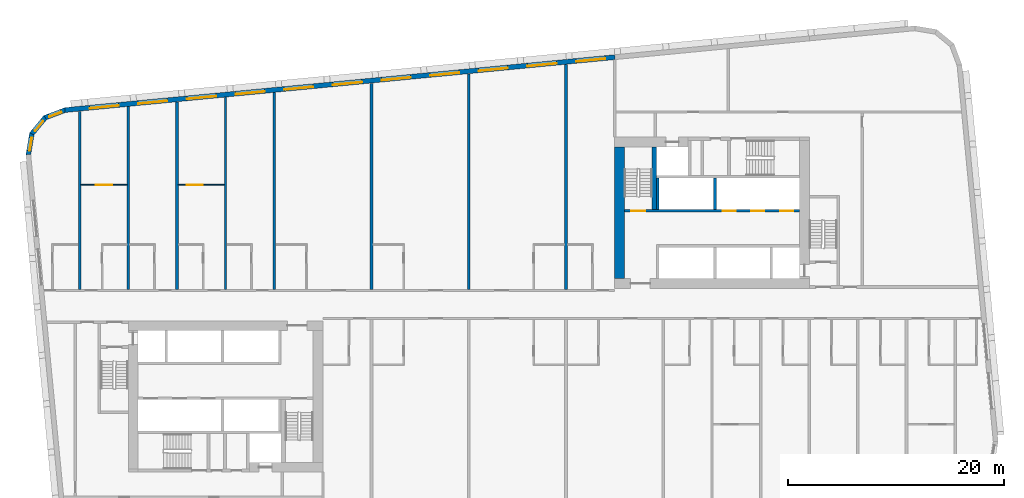
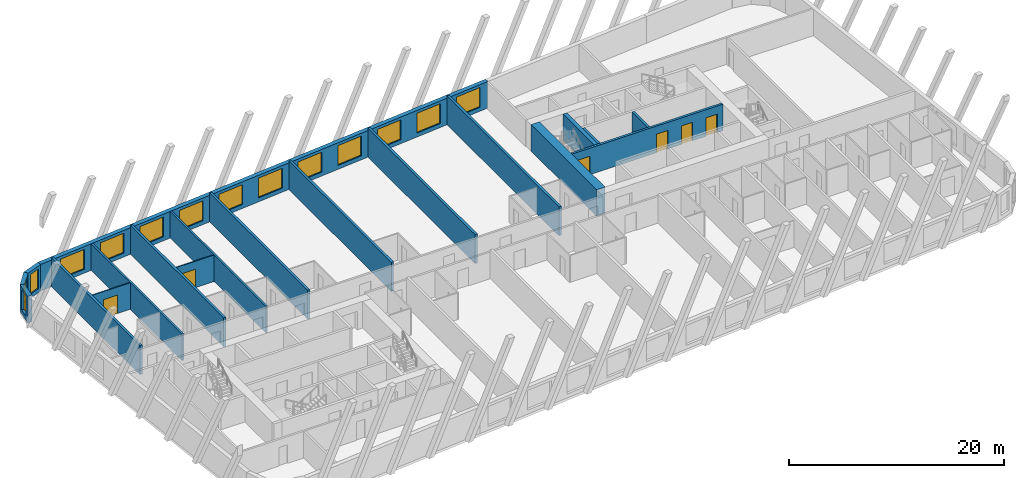
# One storey, part 6 of 13: 19 walls, 14 windows, 6 doors, 20 openings.
"""IFC4 building model written with IfcOpenShell, lengths in metres."""

from ifc_helpers import new_model, si_unit, direction, frame, frame_2d, origin, place, context, subcontext, project, spatial, polyline, rectangle, outline, extrude, material, layer, layer_set, type_object, element, fill, save


model = new_model("IFC4")

# Units and contexts
model_context = context("Model", 3, precision=1e-05, world=origin(), true_north=direction((0.0, 1.0)))
body_context = subcontext(model_context, "Body", "Model", "MODEL_VIEW")
ifc_project = project(units=[si_unit("LENGTHUNIT", "METRE"), si_unit("AREAUNIT", "SQUARE_METRE"), si_unit("VOLUMEUNIT", "CUBIC_METRE"), si_unit("PLANEANGLEUNIT", "RADIAN"), si_unit("MASSUNIT", "GRAM", prefix="KILO")], contexts=[model_context])

# Site, building, storey
site_placement = place(None, origin())
site = spatial("IfcSite", under=ifc_project, at=site_placement, CompositionType="ELEMENT")
building_placement = place(site_placement, origin())
building = spatial("IfcBuilding", under=site, at=building_placement, Name="Kajstack Hotel Tower", CompositionType="ELEMENT")
storey_placement = place(building_placement, frame((0.0, 0.0, 120.699951171875)))
storey = spatial("IfcBuildingStorey", under=building, at=storey_placement, Name="L26", CompositionType="ELEMENT", Elevation=120.699951171875)

# Walls
ifc_material_1 = material(Name="Concrete C60/75", Category="concrete")
ifc_layer_1 = layer(ifc_material_1, 0.89990234375)
ifc_layer_set_1 = layer_set([ifc_layer_1], Name="Core wall 900")
wall_type_1 = type_object("IfcWallType", Name="Core wall 900", PredefinedType="SHEAR", material=ifc_layer_set_1)
wall_1_placement = place(storey_placement, frame((13.949951171875, 2.39990234375, 0.0), z_axis=(0.0, 0.0, 1.0), x_axis=(0.0, 1.0, 0.0)))
element("IfcWall", 1, at=wall_1_placement, inside=storey, type_object=wall_type_1, Name="Core wall E RE", PredefinedType="SHEAR", context=body_context, shape_type="SweptSolid", body=[
    extrude(rectangle(XDim=12.2001953125, YDim=0.89990234375, at=frame_2d((6.10009765625, 0.0))), origin(), (0.0, 0.0, 1.0), 3.02001953125),
])
ifc_material_2 = material(Name="Twin-frame gypsum board on steel studs, mineral wool", Category="steel")
ifc_layer_2 = layer(ifc_material_2, 0.199951171875)
ifc_layer_set_2 = layer_set([ifc_layer_2], Name="Demising wall 200")
wall_type_2 = type_object("IfcWallType", Name="Demising wall 200", PredefinedType="PARTITIONING", material=ifc_layer_set_2)
wall_2_placement = place(storey_placement, frame((-31.5, 1.39990234375, 0.0), z_axis=(0.0, 0.0, 1.0), x_axis=(0.0, 1.0, 0.0)))
element("IfcWall", 2, at=wall_2_placement, inside=storey, type_object=wall_type_2, Name="G-wall-L26-006", PredefinedType="PARTITIONING", context=body_context, shape_type="SweptSolid", body=[
    extrude(rectangle(XDim=16.92919921875, YDim=0.199951171875, at=frame_2d((8.464599609375, 0.0))), origin(), (0.0, 0.0, 1.0), 3.02001953125),
])
wall_3_placement = place(storey_placement, frame((-22.5, 1.39990234375, 0.0), z_axis=(0.0, 0.0, 1.0), x_axis=(0.0, 1.0, 0.0)))
element("IfcWall", 3, at=wall_3_placement, inside=storey, type_object=wall_type_2, Name="G-wall-L26-012", PredefinedType="PARTITIONING", context=body_context, shape_type="SweptSolid", body=[
    extrude(rectangle(XDim=17.796142578125, YDim=0.199951171875, at=frame_2d((8.89794921875, 0.0))), origin(), (0.0, 0.0, 1.0), 3.02001953125),
])

# Wall, openings, windows
ifc_material_3 = material(Name="Terracotta-faced brick masonry", Category="masonry")
ifc_layer_3 = layer(ifc_material_3, 0.449951171875)
ifc_layer_set_3 = layer_set([ifc_layer_3], Name="EW-TERRA")
wall_type_3 = type_object("IfcWallType", Name="EW-TERRA", PredefinedType="SOLIDWALL", material=ifc_layer_set_3)
wall_4_placement = place(storey_placement, frame((13.521484375, 22.89013671875, 0.0), z_axis=(0.0, 0.0, 1.0), x_axis=(-0.995396445054, -0.095843190545, 0.0)))
wall_4 = element("IfcWall", 4, at=wall_4_placement, inside=storey, type_object=wall_type_3, Name="E-wall-L26-12-02", PredefinedType="SOLIDWALL", context=body_context, shape_type="SweptSolid", body=[
    extrude(rectangle(XDim=51.114013671875, YDim=0.449951171875, at=frame_2d((25.55712890625, 0.0))), origin(), (0.0, 0.0, 1.0), 3.02001953125),
])
opening_1_placement = place(wall_4_placement, frame((0.910400390625, 0.0, 0.449951171875)))
opening_1 = element("IfcOpeningElement", 5, at=opening_1_placement, cuts=wall_4, Name="Opening W1", PredefinedType="OPENING", context=body_context, shape_type="SweptSolid", body=[
    extrude(rectangle(XDim=2.699951171875, YDim=2.25, at=frame_2d((1.35009765625, 1.125))), frame((0.0, 0.23486328125, 0.0), z_axis=(0.0, -1.0, 0.0), x_axis=(1.0, 0.0, 0.0)), (0.0, 0.0, 1.0), 0.469970703125),
])
opening_2_placement = place(wall_4_placement, frame((5.43115234375, 0.0, 0.449951171875)))
opening_2 = element("IfcOpeningElement", 6, at=opening_2_placement, cuts=wall_4, Name="Opening W1", PredefinedType="OPENING", context=body_context, shape_type="SweptSolid", body=[
    extrude(rectangle(XDim=2.699951171875, YDim=2.25, at=frame_2d((1.35009765625, 1.125))), frame((0.0, 0.23486328125, 0.0), z_axis=(0.0, -1.0, 0.0), x_axis=(1.0, 0.0, 0.0)), (0.0, 0.0, 1.0), 0.469970703125),
])
opening_3_placement = place(wall_4_placement, frame((9.951904296875, 0.0, 0.449951171875)))
opening_3 = element("IfcOpeningElement", 7, at=opening_3_placement, cuts=wall_4, Name="Opening W1", PredefinedType="OPENING", context=body_context, shape_type="SweptSolid", body=[
    extrude(rectangle(XDim=2.699951171875, YDim=2.25, at=frame_2d((1.35009765625, 1.125))), frame((0.0, 0.23486328125, 0.0), z_axis=(0.0, -1.0, 0.0), x_axis=(1.0, 0.0, 0.0)), (0.0, 0.0, 1.0), 0.469970703125),
])
opening_4_placement = place(wall_4_placement, frame((14.472900390625, 0.0, 0.449951171875)))
opening_4 = element("IfcOpeningElement", 8, at=opening_4_placement, cuts=wall_4, Name="Opening W1", PredefinedType="OPENING", context=body_context, shape_type="SweptSolid", body=[
    extrude(rectangle(XDim=2.699951171875, YDim=2.25, at=frame_2d((1.35009765625, 1.125))), frame((0.0, 0.23486328125, 0.0), z_axis=(0.0, -1.0, 0.0), x_axis=(1.0, 0.0, 0.0)), (0.0, 0.0, 1.0), 0.469970703125),
])
opening_5_placement = place(wall_4_placement, frame((18.99365234375, 0.0, 0.449951171875)))
opening_5 = element("IfcOpeningElement", 9, at=opening_5_placement, cuts=wall_4, Name="Opening W1", PredefinedType="OPENING", context=body_context, shape_type="SweptSolid", body=[
    extrude(rectangle(XDim=2.699951171875, YDim=2.25, at=frame_2d((1.35009765625, 1.125))), frame((0.0, 0.23486328125, 0.0), z_axis=(0.0, -1.0, 0.0), x_axis=(1.0, 0.0, 0.0)), (0.0, 0.0, 1.0), 0.469970703125),
])
opening_6_placement = place(wall_4_placement, frame((23.514404296875, 0.0, 0.449951171875)))
opening_6 = element("IfcOpeningElement", 10, at=opening_6_placement, cuts=wall_4, Name="Opening W1", PredefinedType="OPENING", context=body_context, shape_type="SweptSolid", body=[
    extrude(rectangle(XDim=2.699951171875, YDim=2.25, at=frame_2d((1.35009765625, 1.125))), frame((0.0, 0.23486328125, 0.0), z_axis=(0.0, -1.0, 0.0), x_axis=(1.0, 0.0, 0.0)), (0.0, 0.0, 1.0), 0.469970703125),
])
opening_7_placement = place(wall_4_placement, frame((28.035400390625, 0.0, 0.449951171875)))
opening_7 = element("IfcOpeningElement", 11, at=opening_7_placement, cuts=wall_4, Name="Opening W1", PredefinedType="OPENING", context=body_context, shape_type="SweptSolid", body=[
    extrude(rectangle(XDim=2.699951171875, YDim=2.25, at=frame_2d((1.35009765625, 1.125))), frame((0.0, 0.23486328125, 0.0), z_axis=(0.0, -1.0, 0.0), x_axis=(1.0, 0.0, 0.0)), (0.0, 0.0, 1.0), 0.469970703125),
])
opening_8_placement = place(wall_4_placement, frame((32.55615234375, 0.0, 0.449951171875)))
opening_8 = element("IfcOpeningElement", 12, at=opening_8_placement, cuts=wall_4, Name="Opening W1", PredefinedType="OPENING", context=body_context, shape_type="SweptSolid", body=[
    extrude(rectangle(XDim=2.699951171875, YDim=2.25, at=frame_2d((1.35009765625, 1.125))), frame((0.0, 0.23486328125, 0.0), z_axis=(0.0, -1.0, 0.0), x_axis=(1.0, 0.0, 0.0)), (0.0, 0.0, 1.0), 0.469970703125),
])
opening_9_placement = place(wall_4_placement, frame((37.076904296875, 0.0, 0.449951171875)))
opening_9 = element("IfcOpeningElement", 13, at=opening_9_placement, cuts=wall_4, Name="Opening W1", PredefinedType="OPENING", context=body_context, shape_type="SweptSolid", body=[
    extrude(rectangle(XDim=2.699951171875, YDim=2.25, at=frame_2d((1.35009765625, 1.125))), frame((0.0, 0.23486328125, 0.0), z_axis=(0.0, -1.0, 0.0), x_axis=(1.0, 0.0, 0.0)), (0.0, 0.0, 1.0), 0.469970703125),
])
opening_10_placement = place(wall_4_placement, frame((41.59765625, 0.0, 0.449951171875)))
opening_10 = element("IfcOpeningElement", 14, at=opening_10_placement, cuts=wall_4, Name="Opening W1", PredefinedType="OPENING", context=body_context, shape_type="SweptSolid", body=[
    extrude(rectangle(XDim=2.699951171875, YDim=2.25, at=frame_2d((1.35009765625, 1.125))), frame((0.0, 0.23486328125, 0.0), z_axis=(0.0, -1.0, 0.0), x_axis=(1.0, 0.0, 0.0)), (0.0, 0.0, 1.0), 0.469970703125),
])
opening_11_placement = place(wall_4_placement, frame((46.118408203125, 0.0, 0.449951171875)))
opening_11 = element("IfcOpeningElement", 15, at=opening_11_placement, cuts=wall_4, Name="Opening W1", PredefinedType="OPENING", context=body_context, shape_type="SweptSolid", body=[
    extrude(rectangle(XDim=2.699951171875, YDim=2.25, at=frame_2d((1.35009765625, 1.125))), frame((0.0, 0.23486328125, 0.0), z_axis=(0.0, -1.0, 0.0), x_axis=(1.0, 0.0, 0.0)), (0.0, 0.0, 1.0), 0.469970703125),
])
ifc_material_4 = material(Name="Timber-aluminium window, triple glazed", Category="wood")
window_type_1 = type_object("IfcWindowType", Name="WG1", PartitioningType="SINGLE_PANEL", PredefinedType="WINDOW", material=ifc_material_4)
window_1_placement = place(opening_1_placement, origin())
window_1 = element("IfcWindow", 16, at=window_1_placement, inside=storey, type_object=window_type_1, Name="Window W1 L26-12", OverallHeight=2.25, OverallWidth=2.699951171875, PartitioningType="SINGLE_PANEL", PredefinedType="WINDOW", context=body_context, shape_type="SweptSolid", body=[
    extrude(rectangle(XDim=2.699951171875, YDim=2.25, at=frame_2d((1.35009765625, 1.125))), frame((0.0, 0.090087890625, 0.0), z_axis=(0.0, -1.0, 0.0), x_axis=(1.0, 0.0, 0.0)), (0.0, 0.0, 1.0), 0.06005859375),
])
fill(opening_1, window_1)
window_2_placement = place(opening_2_placement, origin())
window_2 = element("IfcWindow", 17, at=window_2_placement, inside=storey, type_object=window_type_1, Name="Window W1 L26-12", OverallHeight=2.25, OverallWidth=2.699951171875, PartitioningType="SINGLE_PANEL", PredefinedType="WINDOW", context=body_context, shape_type="SweptSolid", body=[
    extrude(rectangle(XDim=2.699951171875, YDim=2.25, at=frame_2d((1.35009765625, 1.125))), frame((0.0, 0.090087890625, 0.0), z_axis=(0.0, -1.0, 0.0), x_axis=(1.0, 0.0, 0.0)), (0.0, 0.0, 1.0), 0.06005859375),
])
fill(opening_2, window_2)
window_3_placement = place(opening_3_placement, origin())
window_3 = element("IfcWindow", 18, at=window_3_placement, inside=storey, type_object=window_type_1, Name="Window W1 L26-12", OverallHeight=2.25, OverallWidth=2.699951171875, PartitioningType="SINGLE_PANEL", PredefinedType="WINDOW", context=body_context, shape_type="SweptSolid", body=[
    extrude(rectangle(XDim=2.699951171875, YDim=2.25, at=frame_2d((1.35009765625, 1.125))), frame((0.0, 0.090087890625, 0.0), z_axis=(0.0, -1.0, 0.0), x_axis=(1.0, 0.0, 0.0)), (0.0, 0.0, 1.0), 0.06005859375),
])
fill(opening_3, window_3)
window_4_placement = place(opening_4_placement, origin())
window_4 = element("IfcWindow", 19, at=window_4_placement, inside=storey, type_object=window_type_1, Name="Window W1 L26-12", OverallHeight=2.25, OverallWidth=2.699951171875, PartitioningType="SINGLE_PANEL", PredefinedType="WINDOW", context=body_context, shape_type="SweptSolid", body=[
    extrude(rectangle(XDim=2.699951171875, YDim=2.25, at=frame_2d((1.35009765625, 1.125))), frame((0.0, 0.090087890625, 0.0), z_axis=(0.0, -1.0, 0.0), x_axis=(1.0, 0.0, 0.0)), (0.0, 0.0, 1.0), 0.06005859375),
])
fill(opening_4, window_4)
window_5_placement = place(opening_5_placement, origin())
window_5 = element("IfcWindow", 20, at=window_5_placement, inside=storey, type_object=window_type_1, Name="Window W1 L26-12", OverallHeight=2.25, OverallWidth=2.699951171875, PartitioningType="SINGLE_PANEL", PredefinedType="WINDOW", context=body_context, shape_type="SweptSolid", body=[
    extrude(rectangle(XDim=2.699951171875, YDim=2.25, at=frame_2d((1.35009765625, 1.125))), frame((0.0, 0.090087890625, 0.0), z_axis=(0.0, -1.0, 0.0), x_axis=(1.0, 0.0, 0.0)), (0.0, 0.0, 1.0), 0.06005859375),
])
fill(opening_5, window_5)
window_6_placement = place(opening_6_placement, origin())
window_6 = element("IfcWindow", 21, at=window_6_placement, inside=storey, type_object=window_type_1, Name="Window W1 L26-12", OverallHeight=2.25, OverallWidth=2.699951171875, PartitioningType="SINGLE_PANEL", PredefinedType="WINDOW", context=body_context, shape_type="SweptSolid", body=[
    extrude(rectangle(XDim=2.699951171875, YDim=2.25, at=frame_2d((1.35009765625, 1.125))), frame((0.0, 0.090087890625, 0.0), z_axis=(0.0, -1.0, 0.0), x_axis=(1.0, 0.0, 0.0)), (0.0, 0.0, 1.0), 0.06005859375),
])
fill(opening_6, window_6)
window_7_placement = place(opening_7_placement, origin())
window_7 = element("IfcWindow", 22, at=window_7_placement, inside=storey, type_object=window_type_1, Name="Window W1 L26-12", OverallHeight=2.25, OverallWidth=2.699951171875, PartitioningType="SINGLE_PANEL", PredefinedType="WINDOW", context=body_context, shape_type="SweptSolid", body=[
    extrude(rectangle(XDim=2.699951171875, YDim=2.25, at=frame_2d((1.35009765625, 1.125))), frame((0.0, 0.090087890625, 0.0), z_axis=(0.0, -1.0, 0.0), x_axis=(1.0, 0.0, 0.0)), (0.0, 0.0, 1.0), 0.06005859375),
])
fill(opening_7, window_7)
window_8_placement = place(opening_8_placement, origin())
window_8 = element("IfcWindow", 23, at=window_8_placement, inside=storey, type_object=window_type_1, Name="Window W1 L26-12", OverallHeight=2.25, OverallWidth=2.699951171875, PartitioningType="SINGLE_PANEL", PredefinedType="WINDOW", context=body_context, shape_type="SweptSolid", body=[
    extrude(rectangle(XDim=2.699951171875, YDim=2.25, at=frame_2d((1.35009765625, 1.125))), frame((0.0, 0.090087890625, 0.0), z_axis=(0.0, -1.0, 0.0), x_axis=(1.0, 0.0, 0.0)), (0.0, 0.0, 1.0), 0.06005859375),
])
fill(opening_8, window_8)
window_9_placement = place(opening_9_placement, origin())
window_9 = element("IfcWindow", 24, at=window_9_placement, inside=storey, type_object=window_type_1, Name="Window W1 L26-12", OverallHeight=2.25, OverallWidth=2.699951171875, PartitioningType="SINGLE_PANEL", PredefinedType="WINDOW", context=body_context, shape_type="SweptSolid", body=[
    extrude(rectangle(XDim=2.699951171875, YDim=2.25, at=frame_2d((1.35009765625, 1.125))), frame((0.0, 0.090087890625, 0.0), z_axis=(0.0, -1.0, 0.0), x_axis=(1.0, 0.0, 0.0)), (0.0, 0.0, 1.0), 0.06005859375),
])
fill(opening_9, window_9)
window_10_placement = place(opening_10_placement, origin())
window_10 = element("IfcWindow", 25, at=window_10_placement, inside=storey, type_object=window_type_1, Name="Window W1 L26-12", OverallHeight=2.25, OverallWidth=2.699951171875, PartitioningType="SINGLE_PANEL", PredefinedType="WINDOW", context=body_context, shape_type="SweptSolid", body=[
    extrude(rectangle(XDim=2.699951171875, YDim=2.25, at=frame_2d((1.35009765625, 1.125))), frame((0.0, 0.090087890625, 0.0), z_axis=(0.0, -1.0, 0.0), x_axis=(1.0, 0.0, 0.0)), (0.0, 0.0, 1.0), 0.06005859375),
])
fill(opening_10, window_10)
window_11_placement = place(opening_11_placement, origin())
window_11 = element("IfcWindow", 26, at=window_11_placement, inside=storey, type_object=window_type_1, Name="Window W1 L26-12", OverallHeight=2.25, OverallWidth=2.699951171875, PartitioningType="SINGLE_PANEL", PredefinedType="WINDOW", context=body_context, shape_type="SweptSolid", body=[
    extrude(rectangle(XDim=2.699951171875, YDim=2.25, at=frame_2d((1.35009765625, 1.125))), frame((0.0, 0.090087890625, 0.0), z_axis=(0.0, -1.0, 0.0), x_axis=(1.0, 0.0, 0.0)), (0.0, 0.0, 1.0), 0.06005859375),
])
fill(opening_11, window_11)

# Wall, opening, window
wall_5_placement = place(storey_placement, frame((-37.300048828125, 18.00439453125, 0.0), z_axis=(0.0, 0.0, 1.0), x_axis=(-0.936677599948, -0.350192909346, 0.0)))
wall_5 = element("IfcWall", 27, at=wall_5_placement, inside=storey, type_object=wall_type_3, Name="E-wall-L26-13-00", PredefinedType="SOLIDWALL", context=body_context, shape_type="SweptSolid", body=[
    extrude(outline(polyline([(0.0, -0.224853515625), (2.070556640625, -0.224853515625), (1.949951171875, 0.22509765625), (0.12060546875, 0.22509765625), (0.0, -0.224853515625)])), origin(), (0.0, 0.0, 1.0), 3.02001953125),
])
opening_12_placement = place(wall_5_placement, frame((0.435302734375, 0.0, 0.449951171875)))
opening_12 = element("IfcOpeningElement", 28, at=opening_12_placement, cuts=wall_5, Name="Opening W3", PredefinedType="OPENING", context=body_context, shape_type="SweptSolid", body=[
    extrude(rectangle(XDim=1.199951171875, YDim=2.25, at=frame_2d((0.60009765625, 1.125))), frame((0.0, 0.23486328125, 0.0), z_axis=(0.0, -1.0, 0.0), x_axis=(1.0, 0.0, 0.0)), (0.0, 0.0, 1.0), 0.469970703125),
])
window_type_2 = type_object("IfcWindowType", Name="WG3", PartitioningType="SINGLE_PANEL", PredefinedType="WINDOW", material=ifc_material_4)
window_12_placement = place(opening_12_placement, origin())
window_12 = element("IfcWindow", 29, at=window_12_placement, inside=storey, type_object=window_type_2, Name="Window W3 L26-13", OverallHeight=2.25, OverallWidth=1.199951171875, PartitioningType="SINGLE_PANEL", PredefinedType="WINDOW", context=body_context, shape_type="SweptSolid", body=[
    extrude(rectangle(XDim=1.199951171875, YDim=2.25, at=frame_2d((0.60009765625, 1.125))), frame((0.0, 0.090087890625, 0.0), z_axis=(0.0, -1.0, 0.0), x_axis=(1.0, 0.0, 0.0)), (0.0, 0.0, 1.0), 0.06005859375),
])
fill(opening_12, window_12)

wall_6_placement = place(storey_placement, frame((-39.144775390625, 17.346923828125, 0.0), z_axis=(0.0, 0.0, 1.0), x_axis=(-0.636046112757, -0.771651049663, 0.0)))
wall_6 = element("IfcWall", 30, at=wall_6_placement, inside=storey, type_object=wall_type_3, Name="E-wall-L26-14-00", PredefinedType="SOLIDWALL", context=body_context, shape_type="SweptSolid", body=[
    extrude(outline(polyline([(0.0, -0.224853515625), (2.070556640625, -0.224853515625), (1.949951171875, 0.22509765625), (0.12060546875, 0.22509765625), (0.0, -0.224853515625)])), origin(), (0.0, 0.0, 1.0), 3.02001953125),
])
opening_13_placement = place(wall_6_placement, frame((0.435302734375, 0.0, 0.449951171875)))
opening_13 = element("IfcOpeningElement", 31, at=opening_13_placement, cuts=wall_6, Name="Opening W3", PredefinedType="OPENING", context=body_context, shape_type="SweptSolid", body=[
    extrude(rectangle(XDim=1.199951171875, YDim=2.25, at=frame_2d((0.60009765625, 1.125))), frame((0.0, 0.23486328125, 0.0), z_axis=(0.0, -1.0, 0.0), x_axis=(1.0, 0.0, 0.0)), (0.0, 0.0, 1.0), 0.469970703125),
])
window_13_placement = place(opening_13_placement, origin())
window_13 = element("IfcWindow", 32, at=window_13_placement, inside=storey, type_object=window_type_2, Name="Window W3 L26-14", OverallHeight=2.25, OverallWidth=1.199951171875, PartitioningType="SINGLE_PANEL", PredefinedType="WINDOW", context=body_context, shape_type="SweptSolid", body=[
    extrude(rectangle(XDim=1.199951171875, YDim=2.25, at=frame_2d((0.60009765625, 1.125))), frame((0.0, 0.090087890625, 0.0), z_axis=(0.0, -1.0, 0.0), x_axis=(1.0, 0.0, 0.0)), (0.0, 0.0, 1.0), 0.06005859375),
])
fill(opening_13, window_13)

wall_7_placement = place(storey_placement, frame((-40.413330078125, 15.855224609375, 0.0), z_axis=(0.0, 0.0, 1.0), x_axis=(-0.165068144653, -0.986282164302, 0.0)))
wall_7 = element("IfcWall", 33, at=wall_7_placement, inside=storey, type_object=wall_type_3, Name="E-wall-L26-15-00", PredefinedType="SOLIDWALL", context=body_context, shape_type="SweptSolid", body=[
    extrude(outline(polyline([(0.0, -0.22509765625), (2.070556640625, -0.224853515625), (1.9501953125, 0.22509765625), (0.12060546875, 0.224853515625), (0.0, -0.22509765625)])), origin(), (0.0, 0.0, 1.0), 3.02001953125),
])
opening_14_placement = place(wall_7_placement, frame((0.435302734375, 0.0, 0.449951171875)))
opening_14 = element("IfcOpeningElement", 34, at=opening_14_placement, cuts=wall_7, Name="Opening W3", PredefinedType="OPENING", context=body_context, shape_type="SweptSolid", body=[
    extrude(rectangle(XDim=1.199951171875, YDim=2.25, at=frame_2d((0.60009765625, 1.125))), frame((0.0, 0.23486328125, 0.0), z_axis=(0.0, -1.0, 0.0), x_axis=(1.0, 0.0, 0.0)), (0.0, 0.0, 1.0), 0.469970703125),
])
window_14_placement = place(opening_14_placement, origin())
window_14 = element("IfcWindow", 35, at=window_14_placement, inside=storey, type_object=window_type_2, Name="Window W3 L26-15", OverallHeight=2.25, OverallWidth=1.199951171875, PartitioningType="SINGLE_PANEL", PredefinedType="WINDOW", context=body_context, shape_type="SweptSolid", body=[
    extrude(rectangle(XDim=1.199951171875, YDim=2.25, at=frame_2d((0.60009765625, 1.125))), frame((0.0, 0.090087890625, 0.0), z_axis=(0.0, -1.0, 0.0), x_axis=(1.0, 0.0, 0.0)), (0.0, 0.0, 1.0), 0.06005859375),
])
fill(opening_14, window_14)

# Wall
ifc_material_5 = material(Name="Concrete C50/60", Category="concrete")
ifc_layer_4 = layer(ifc_material_5, 0.300048828125)
ifc_layer_set_4 = layer_set([ifc_layer_4], Name="Hoistway divider wall 300")
wall_type_4 = type_object("IfcWallType", Name="Hoistway divider wall 300", PredefinedType="SHEAR", material=ifc_layer_set_4)
wall_8_placement = place(storey_placement, frame((22.77490234375, 8.800048828125, 0.0), z_axis=(0.0, 0.0, 1.0), x_axis=(0.0, 1.0, 0.0)))
element("IfcWall", 36, at=wall_8_placement, inside=storey, type_object=wall_type_4, Name="Core wall E BP2", PredefinedType="SHEAR", context=body_context, shape_type="SweptSolid", body=[
    extrude(rectangle(XDim=2.89990234375, YDim=0.25, at=frame_2d((1.449951171875, 0.0))), origin(), (0.0, 0.0, 1.0), 3.02001953125),
])

# Wall, opening, door
ifc_material_6 = material(Name="Gypsum board on steel studs", Category="steel")
ifc_layer_5 = layer(ifc_material_6, 0.10009765625)
ifc_layer_set_5 = layer_set([ifc_layer_5], Name="Partition 100")
wall_type_5 = type_object("IfcWallType", Name="Partition 100", PredefinedType="PARTITIONING", material=ifc_layer_set_5)
wall_9_placement = place(storey_placement, frame((-35.875, 11.074951171875, 0.0), z_axis=(0.0, 0.0, 1.0), x_axis=(1.0, 0.0, 0.0)))
wall_9 = element("IfcWall", 37, at=wall_9_placement, inside=storey, type_object=wall_type_5, Name="G-wall-L26-009", PredefinedType="PARTITIONING", context=body_context, shape_type="SweptSolid", body=[
    extrude(rectangle(XDim=4.27490234375, YDim=0.10009765625, at=frame_2d((2.137451171875, 0.0))), origin(), (0.0, 0.0, 1.0), 3.02001953125),
])
opening_15_placement = place(wall_9_placement, frame((1.387939453125, 0.0, 0.0)))
opening_15 = element("IfcOpeningElement", 38, at=opening_15_placement, cuts=wall_9, Name="Opening 26005", PredefinedType="OPENING", context=body_context, shape_type="SweptSolid", body=[
    extrude(rectangle(XDim=1.5, YDim=2.10009765625, at=frame_2d((0.75, 1.050048828125))), frame((0.0, 0.06005859375, 0.0), z_axis=(0.0, -1.0, 0.0), x_axis=(1.0, 0.0, 0.0)), (0.0, 0.0, 1.0), 0.1201171875),
])
ifc_material_7 = material(Name="Painted timber door leaves, glazed panels", Category="wood")
door_type_1 = type_object("IfcDoorType", Name="Double door 1500", OperationType="SINGLE_SWING_LEFT", PredefinedType="DOOR", material=ifc_material_7)
door_1_placement = place(opening_15_placement, origin())
door_1 = element("IfcDoor", 39, at=door_1_placement, inside=storey, type_object=door_type_1, Name="G-door-L26-05", OperationType="SINGLE_SWING_LEFT", OverallHeight=2.10009765625, OverallWidth=1.5, PredefinedType="DOOR", context=body_context, shape_type="SweptSolid", body=[
    extrude(rectangle(XDim=1.5, YDim=2.10009765625, at=frame_2d((0.75, 1.050048828125))), frame((0.0, 0.02490234375, 0.0), z_axis=(0.0, -1.0, 0.0), x_axis=(1.0, 0.0, 0.0)), (0.0, 0.0, 1.0), 0.050048828125),
])
fill(opening_15, door_1)

wall_10_placement = place(storey_placement, frame((-26.875, 11.074951171875, 0.0), z_axis=(0.0, 0.0, 1.0), x_axis=(1.0, 0.0, 0.0)))
wall_10 = element("IfcWall", 40, at=wall_10_placement, inside=storey, type_object=wall_type_5, Name="G-wall-L26-015", PredefinedType="PARTITIONING", context=body_context, shape_type="SweptSolid", body=[
    extrude(rectangle(XDim=4.27490234375, YDim=0.10009765625, at=frame_2d((2.137451171875, 0.0))), origin(), (0.0, 0.0, 1.0), 3.02001953125),
])
opening_16_placement = place(wall_10_placement, frame((0.787109375, 0.0, 0.0)))
opening_16 = element("IfcOpeningElement", 41, at=opening_16_placement, cuts=wall_10, Name="Opening 26010", PredefinedType="OPENING", context=body_context, shape_type="SweptSolid", body=[
    extrude(rectangle(XDim=1.5, YDim=2.10009765625, at=frame_2d((0.75, 1.050048828125))), frame((0.0, 0.06005859375, 0.0), z_axis=(0.0, -1.0, 0.0), x_axis=(1.0, 0.0, 0.0)), (0.0, 0.0, 1.0), 0.1201171875),
])
door_2_placement = place(opening_16_placement, origin())
door_2 = element("IfcDoor", 42, at=door_2_placement, inside=storey, type_object=door_type_1, Name="G-door-L26-10", OperationType="SINGLE_SWING_LEFT", OverallHeight=2.10009765625, OverallWidth=1.5, PredefinedType="DOOR", context=body_context, shape_type="SweptSolid", body=[
    extrude(rectangle(XDim=1.5, YDim=2.10009765625, at=frame_2d((0.75, 1.050048828125))), frame((0.0, 0.02490234375, 0.0), z_axis=(0.0, -1.0, 0.0), x_axis=(1.0, 0.0, 0.0)), (0.0, 0.0, 1.0), 0.050048828125),
])
fill(opening_16, door_2)

# Walls
ifc_material_8 = material(Name="Concrete C55/67", Category="concrete")
ifc_layer_6 = layer(ifc_material_8, 0.25)
ifc_layer_set_6 = layer_set([ifc_layer_6], Name="RC cross wall 250 C55/67")
wall_type_6 = type_object("IfcWallType", Name="RC cross wall 250 C55/67", PredefinedType="SHEAR", material=ifc_layer_set_6)
wall_11_placement = place(storey_placement, frame((-36.0, 1.39990234375, 0.0), z_axis=(0.0, 0.0, 1.0), x_axis=(0.0, 1.0, 0.0)))
element("IfcWall", 43, at=wall_11_placement, inside=storey, type_object=wall_type_6, Name="S-wall-L26-01", PredefinedType="SHEAR", context=body_context, shape_type="SweptSolid", body=[
    extrude(rectangle(XDim=16.473876953125, YDim=0.25, at=frame_2d((8.23681640625, 0.0))), origin(), (0.0, 0.0, 1.0), 3.300048828125),
])
wall_12_placement = place(storey_placement, frame((-27.0, 1.39990234375, 0.0), z_axis=(0.0, 0.0, 1.0), x_axis=(0.0, 1.0, 0.0)))
element("IfcWall", 44, at=wall_12_placement, inside=storey, type_object=wall_type_6, Name="S-wall-L26-02", PredefinedType="SHEAR", context=body_context, shape_type="SweptSolid", body=[
    extrude(rectangle(XDim=17.34033203125, YDim=0.25, at=frame_2d((8.670166015625, 0.0))), origin(), (0.0, 0.0, 1.0), 3.300048828125),
])
wall_13_placement = place(storey_placement, frame((-18.0, 1.39990234375, 0.0), z_axis=(0.0, 0.0, 1.0), x_axis=(0.0, 1.0, 0.0)))
element("IfcWall", 45, at=wall_13_placement, inside=storey, type_object=wall_type_6, Name="S-wall-L26-03", PredefinedType="SHEAR", context=body_context, shape_type="SweptSolid", body=[
    extrude(rectangle(XDim=18.20703125, YDim=0.25, at=frame_2d((9.103515625, 0.0))), origin(), (0.0, 0.0, 1.0), 3.300048828125),
])
wall_14_placement = place(storey_placement, frame((-9.0, 1.39990234375, 0.0), z_axis=(0.0, 0.0, 1.0), x_axis=(0.0, 1.0, 0.0)))
element("IfcWall", 46, at=wall_14_placement, inside=storey, type_object=wall_type_6, Name="S-wall-L26-05", PredefinedType="SHEAR", context=body_context, shape_type="SweptSolid", body=[
    extrude(rectangle(XDim=19.073486328125, YDim=0.25, at=frame_2d((9.53662109375, 0.0))), origin(), (0.0, 0.0, 1.0), 3.300048828125),
])
wall_15_placement = place(storey_placement, frame((0.0, 1.39990234375, 0.0), z_axis=(0.0, 0.0, 1.0), x_axis=(0.0, 1.0, 0.0)))
element("IfcWall", 47, at=wall_15_placement, inside=storey, type_object=wall_type_6, Name="S-wall-L26-07", PredefinedType="SHEAR", context=body_context, shape_type="SweptSolid", body=[
    extrude(rectangle(XDim=19.940185546875, YDim=0.25, at=frame_2d((9.97021484375, 0.0))), origin(), (0.0, 0.0, 1.0), 3.300048828125),
])
wall_16_placement = place(storey_placement, frame((9.0, 1.39990234375, 0.0), z_axis=(0.0, 0.0, 1.0), x_axis=(0.0, 1.0, 0.0)))
element("IfcWall", 48, at=wall_16_placement, inside=storey, type_object=wall_type_6, Name="S-wall-L26-09", PredefinedType="SHEAR", context=body_context, shape_type="SweptSolid", body=[
    extrude(rectangle(XDim=20.806884765625, YDim=0.25, at=frame_2d((10.4033203125, 0.0))), origin(), (0.0, 0.0, 1.0), 3.300048828125),
])

# Wall, openings, doors
ifc_layer_7 = layer(ifc_material_5, 0.25)
ifc_layer_set_7 = layer_set([ifc_layer_7], Name="Shaft wall 250")
wall_type_7 = type_object("IfcWallType", Name="Shaft wall 250", PredefinedType="SHEAR", material=ifc_layer_set_7)
wall_17_placement = place(storey_placement, frame((14.39990234375, 8.675048828125, 0.0), z_axis=(0.0, 0.0, 1.0), x_axis=(1.0, 0.0, 0.0)))
wall_17 = element("IfcWall", 49, at=wall_17_placement, inside=storey, type_object=wall_type_7, Name="Core wall E FB", PredefinedType="SHEAR", context=body_context, shape_type="SweptSolid", body=[
    extrude(rectangle(XDim=16.2001953125, YDim=0.25, at=frame_2d((8.10009765625, 0.0))), origin(), (0.0, 0.0, 1.0), 3.02001953125),
])
opening_17_placement = place(wall_17_placement, frame((14.39990234375, 0.0, 0.0)))
opening_17 = element("IfcOpeningElement", 50, at=opening_17_placement, cuts=wall_17, Name="Opening LD-LR4", PredefinedType="OPENING", context=body_context, shape_type="SweptSolid", body=[
    extrude(rectangle(XDim=1.199951171875, YDim=2.10009765625, at=frame_2d((0.60009765625, 1.050048828125))), frame((0.0, 0.135009765625, 0.0), z_axis=(0.0, -1.0, 0.0), x_axis=(1.0, 0.0, 0.0)), (0.0, 0.0, 1.0), 0.27001953125),
])
opening_18_placement = place(wall_17_placement, frame((11.75, 0.0, 0.0)))
opening_18 = element("IfcOpeningElement", 51, at=opening_18_placement, cuts=wall_17, Name="Opening LD-LR5", PredefinedType="OPENING", context=body_context, shape_type="SweptSolid", body=[
    extrude(rectangle(XDim=1.199951171875, YDim=2.10009765625, at=frame_2d((0.60009765625, 1.050048828125))), frame((0.0, 0.135009765625, 0.0), z_axis=(0.0, -1.0, 0.0), x_axis=(1.0, 0.0, 0.0)), (0.0, 0.0, 1.0), 0.27001953125),
])
opening_19_placement = place(wall_17_placement, frame((9.10009765625, 0.0, 0.0)))
opening_19 = element("IfcOpeningElement", 52, at=opening_19_placement, cuts=wall_17, Name="Opening LD-LR6", PredefinedType="OPENING", context=body_context, shape_type="SweptSolid", body=[
    extrude(rectangle(XDim=1.199951171875, YDim=2.10009765625, at=frame_2d((0.60009765625, 1.050048828125))), frame((0.0, 0.135009765625, 0.0), z_axis=(0.0, -1.0, 0.0), x_axis=(1.0, 0.0, 0.0)), (0.0, 0.0, 1.0), 0.27001953125),
])
opening_20_placement = place(wall_17_placement, frame((0.64990234375, 0.0, 0.0)))
opening_20 = element("IfcOpeningElement", 53, at=opening_20_placement, cuts=wall_17, Name="Opening 26E10", PredefinedType="OPENING", context=body_context, shape_type="SweptSolid", body=[
    extrude(rectangle(XDim=1.300048828125, YDim=2.10009765625, at=frame_2d((0.64990234375, 1.050048828125))), frame((0.0, 0.135009765625, 0.0), z_axis=(0.0, -1.0, 0.0), x_axis=(1.0, 0.0, 0.0)), (0.0, 0.0, 1.0), 0.27001953125),
])
ifc_material_9 = material(Name="Stainless steel", Category="steel")
door_type_2 = type_object("IfcDoorType", Name="Lift landing door 1200", OperationType="SLIDING_TO_LEFT", PredefinedType="DOOR", material=ifc_material_9)
door_3_placement = place(opening_17_placement, origin())
door_3 = element("IfcDoor", 54, at=door_3_placement, inside=storey, type_object=door_type_2, Name="Landing door LR4", OperationType="SLIDING_TO_LEFT", OverallHeight=2.10009765625, OverallWidth=1.199951171875, PredefinedType="DOOR", context=body_context, shape_type="SweptSolid", body=[
    extrude(rectangle(XDim=1.199951171875, YDim=2.10009765625, at=frame_2d((0.60009765625, 1.050048828125))), frame((0.0, 0.02490234375, 0.0), z_axis=(0.0, -1.0, 0.0), x_axis=(1.0, 0.0, 0.0)), (0.0, 0.0, 1.0), 0.050048828125),
])
fill(opening_17, door_3)
door_4_placement = place(opening_18_placement, origin())
door_4 = element("IfcDoor", 55, at=door_4_placement, inside=storey, type_object=door_type_2, Name="Landing door LR5", OperationType="SLIDING_TO_RIGHT", OverallHeight=2.10009765625, OverallWidth=1.199951171875, PredefinedType="DOOR", context=body_context, shape_type="SweptSolid", body=[
    extrude(rectangle(XDim=1.199951171875, YDim=2.10009765625, at=frame_2d((0.60009765625, 1.050048828125))), frame((0.0, 0.02490234375, 0.0), z_axis=(0.0, -1.0, 0.0), x_axis=(1.0, 0.0, 0.0)), (0.0, 0.0, 1.0), 0.050048828125),
])
fill(opening_18, door_4)
door_5_placement = place(opening_19_placement, origin())
door_5 = element("IfcDoor", 56, at=door_5_placement, inside=storey, type_object=door_type_2, Name="Landing door LR6", OperationType="SLIDING_TO_RIGHT", OverallHeight=2.10009765625, OverallWidth=1.199951171875, PredefinedType="DOOR", context=body_context, shape_type="SweptSolid", body=[
    extrude(rectangle(XDim=1.199951171875, YDim=2.10009765625, at=frame_2d((0.60009765625, 1.050048828125))), frame((0.0, 0.02490234375, 0.0), z_axis=(0.0, -1.0, 0.0), x_axis=(1.0, 0.0, 0.0)), (0.0, 0.0, 1.0), 0.050048828125),
])
fill(opening_19, door_5)
ifc_material_10 = material(Name="Steel leaf, fire-rated", Category="steel")
door_type_3 = type_object("IfcDoorType", Name="Stair door 1300", OperationType="SINGLE_SWING_LEFT", PredefinedType="DOOR", material=ifc_material_10)
door_6_placement = place(opening_20_placement, origin())
door_6 = element("IfcDoor", 57, at=door_6_placement, inside=storey, type_object=door_type_3, Name="Door 26E10", OperationType="SINGLE_SWING_LEFT", OverallHeight=2.10009765625, OverallWidth=1.300048828125, PredefinedType="DOOR", context=body_context, shape_type="SweptSolid", body=[
    extrude(rectangle(XDim=1.300048828125, YDim=2.10009765625, at=frame_2d((0.64990234375, 1.050048828125))), frame((0.0, 0.02490234375, 0.0), z_axis=(0.0, -1.0, 0.0), x_axis=(1.0, 0.0, 0.0)), (0.0, 0.0, 1.0), 0.050048828125),
])
fill(opening_20, door_6)

# Walls
wall_18_placement = place(storey_placement, frame((17.47509765625, 8.800048828125, 0.0), z_axis=(0.0, 0.0, 1.0), x_axis=(0.0, 1.0, 0.0)))
element("IfcWall", 58, at=wall_18_placement, inside=storey, type_object=wall_type_7, Name="Core wall E BE", PredefinedType="SHEAR", context=body_context, shape_type="SweptSolid", body=[
    extrude(rectangle(XDim=2.89990234375, YDim=0.25, at=frame_2d((1.449951171875, 0.0))), origin(), (0.0, 0.0, 1.0), 3.02001953125),
])
ifc_layer_8 = layer(ifc_material_5, 0.39990234375)
ifc_layer_set_8 = layer_set([ifc_layer_8], Name="Stair wall 400")
wall_type_8 = type_object("IfcWallType", Name="Stair wall 400", PredefinedType="SHEAR", material=ifc_layer_set_8)
wall_19_placement = place(storey_placement, frame((17.14990234375, 8.800048828125, 0.0), z_axis=(0.0, 0.0, 1.0), x_axis=(0.0, 1.0, 0.0)))
element("IfcWall", 59, at=wall_19_placement, inside=storey, type_object=wall_type_8, Name="Core wall E WW2", PredefinedType="SHEAR", context=body_context, shape_type="SweptSolid", body=[
    extrude(rectangle(XDim=5.800048828125, YDim=0.39990234375, at=frame_2d((2.89990234375, 0.0))), origin(), (0.0, 0.0, 1.0), 3.02001953125),
])

save(model, "model.ifc")
